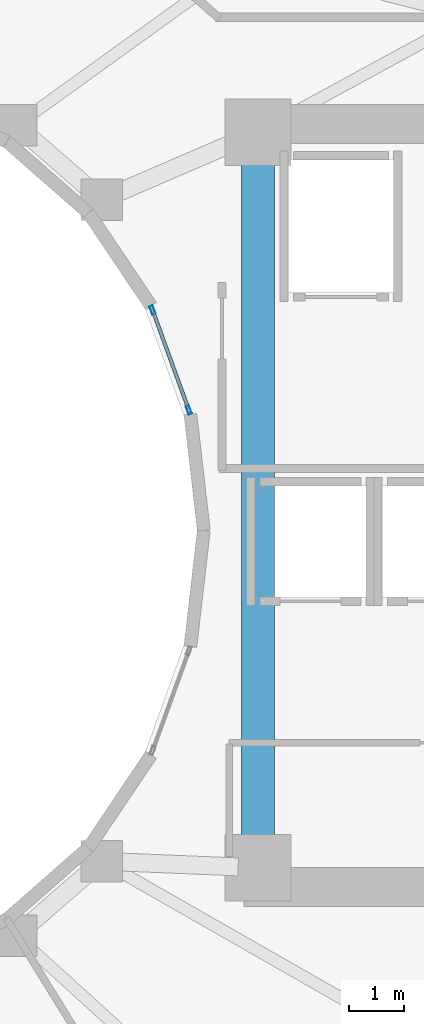
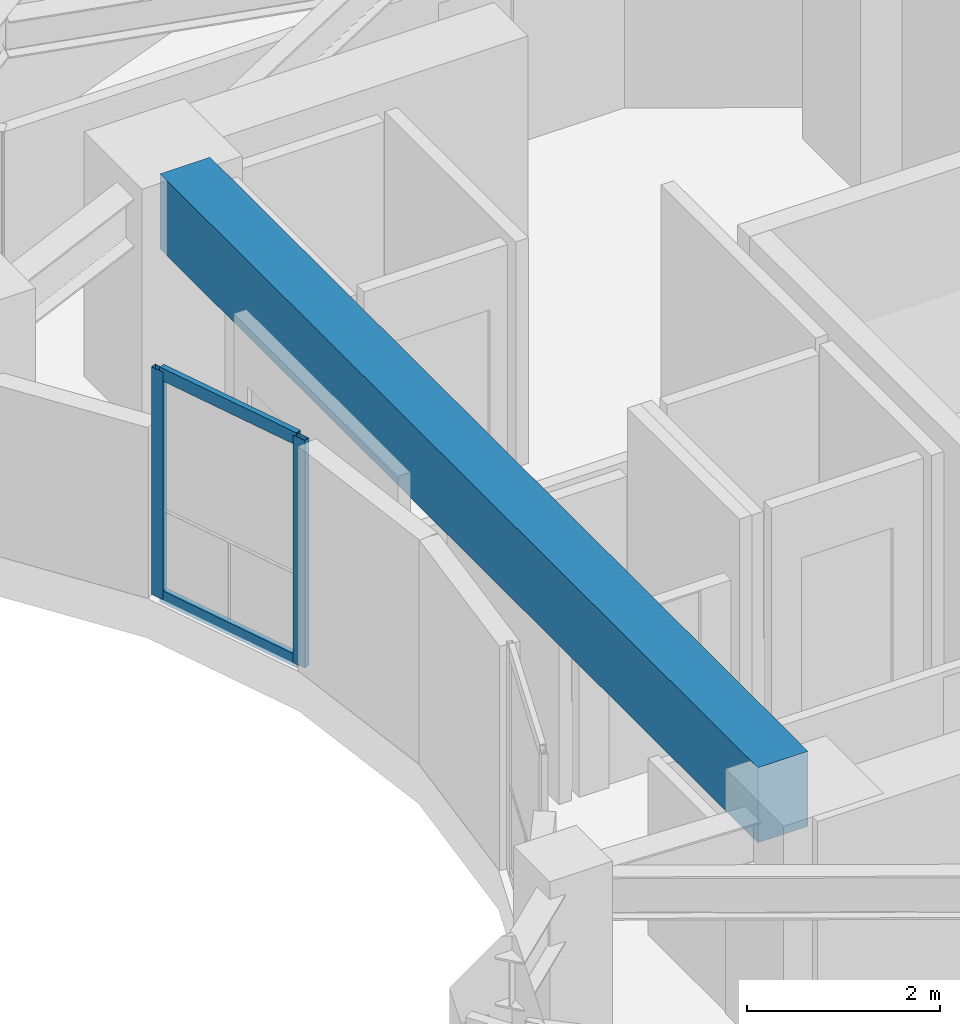
# One storey, part 9 of 20: 4 members, 1 beam, 1 element without a shape of its own.
"""IFC4 building model written with IfcOpenShell, lengths in metres."""

from ifc_helpers import new_model, si_unit, direction, frame, origin, origin_2d, place, context, subcontext, project, spatial, rectangle, hollow_rectangle, extrude, material, layer, layer_set, material_profile, profile_set, type_object, element, aggregate, save


model = new_model("IFC4")

# Units and contexts
model_context = context("Model", 3, precision=1e-05, world=origin(), true_north=direction((0.0, 1.0)))
body_context = subcontext(model_context, "Body", "Model", "MODEL_VIEW")
ifc_project = project(units=[si_unit("LENGTHUNIT", "METRE"), si_unit("AREAUNIT", "SQUARE_METRE"), si_unit("VOLUMEUNIT", "CUBIC_METRE"), si_unit("PLANEANGLEUNIT", "RADIAN"), si_unit("MASSUNIT", "GRAM", prefix="KILO")], contexts=[model_context])

# Site, building, storey
site_placement = place(None, origin())
site = spatial("IfcSite", under=ifc_project, at=site_placement, CompositionType="ELEMENT")
building_placement = place(site_placement, origin())
building = spatial("IfcBuilding", under=site, at=building_placement, Name="Solvane Sanctuary Tower", CompositionType="ELEMENT")
storey_placement = place(building_placement, frame((0.0, 0.0, 137.39990234375)))
storey = spatial("IfcBuildingStorey", under=building, at=storey_placement, Name="L41", CompositionType="ELEMENT", Elevation=137.39990234375)

# Beam
ifc_material_1 = material(Name="Concrete C70/85", Category="concrete")
ifc_material_profile_1 = material_profile(ifc_material_1, rectangle(XDim=0.60009765625, YDim=0.949951171875, at=origin_2d()), Name="RC600X950")
ifc_profile_set_1 = profile_set([ifc_material_profile_1], Name="Concrete C70/85")
beam_type = type_object("IfcBeamType", Name="Beam B-COUPLE RC600X950", PredefinedType="LINTEL", material=ifc_profile_set_1)
beam_placement = place(storey_placement, frame((40.10009765625, 17.35009765625, 2.625), z_axis=(0.0, 1.0, 0.0), x_axis=(-1.0, 0.0, 0.0)))
element("IfcBeam", 1, at=beam_placement, inside=storey, type_object=beam_type, Name="L41 East Core Coupling Lintel", PredefinedType="LINTEL", context=body_context, shape_type="SweptSolid", body=[
    extrude(rectangle(XDim=0.60009765625, YDim=0.949951171875, at=origin_2d()), origin(), (0.0, 0.0, 1.0), 12.39990234375),
])

# Curtain wall, members
ifc_material_2 = material(Name="Anodised Aluminium 6063-T6", Category="aluminium")
ifc_layer = layer(ifc_material_2, 0.199951171875, Name="Anodised Aluminium 6063-T6")
ifc_layer_set = layer_set([ifc_layer], Name="Anodised Aluminium 6063-T6")
curtain_wall_type = type_object("IfcCurtainWallType", Name="Curtain Wall CW-WELL", PredefinedType="NOTDEFINED", material=ifc_layer_set)
curtain_wall_placement = place(storey_placement, origin())
curtain_wall = element("IfcCurtainWall", 2, at=curtain_wall_placement, inside=storey, type_object=curtain_wall_type, Name="L41 Light-Well Glazed Curtain Wall 01", PredefinedType="NOTDEFINED")
ifc_material_profile_2 = material_profile(ifc_material_2, hollow_rectangle(XDim=0.06494140625, YDim=0.159912109375, WallThickness=0.00341796875, at=origin_2d()), Name="ALU160X65X3.5")
ifc_profile_set_2 = profile_set([ifc_material_profile_2], Name="Anodised Aluminium 6063-T6")
member_type_1 = type_object("IfcMemberType", Name="Member M-CW-MUL-2 ALU160X65X3.5", PredefinedType="MULLION", material=ifc_profile_set_2)
member_1_placement = place(storey_placement, frame((38.84912109375, 25.17919921875, 0.0), z_axis=(0.0, 0.0, 1.0), x_axis=(-0.939933181429, -0.341358483781, 0.0)))
member_1 = element("IfcMember", 3, at=member_1_placement, type_object=member_type_1, Name="CW-WELL mullion 1", PredefinedType="MULLION", context=body_context, shape_type="SweptSolid", body=[
    extrude(hollow_rectangle(XDim=0.06494140625, YDim=0.159912109375, WallThickness=0.00341796875, at=origin_2d()), origin(), (0.0, 0.0, 1.0), 2.880126953125),
])
member_2_placement = place(storey_placement, frame((38.1943359375, 26.982421875, 0.0), z_axis=(0.0, 0.0, 1.0), x_axis=(-0.939933181429, -0.341358483781, 0.0)))
member_2 = element("IfcMember", 4, at=member_2_placement, type_object=member_type_1, Name="CW-WELL mullion 2", PredefinedType="MULLION", context=body_context, shape_type="SweptSolid", body=[
    extrude(hollow_rectangle(XDim=0.06494140625, YDim=0.159912109375, WallThickness=0.00341796875, at=origin_2d()), origin(), (0.0, 0.0, 1.0), 2.880126953125),
])
ifc_material_profile_3 = material_profile(ifc_material_2, hollow_rectangle(XDim=0.06494140625, YDim=0.159912109375, WallThickness=0.00341796875, at=origin_2d()), Name="ALU160X65X3.5")
ifc_profile_set_3 = profile_set([ifc_material_profile_3], Name="Anodised Aluminium 6063-T6")
member_type_2 = type_object("IfcMemberType", Name="Member M-CW-TRN-1 ALU160X65X3.5", PredefinedType="USERDEFINED", material=ifc_profile_set_3)
member_3_placement = place(storey_placement, frame((38.838134765625, 25.209716796875, 0.03271484375), z_axis=(-0.341404620561, 0.939916424508, 0.0), x_axis=(-0.939916424508, -0.341404620561, 0.0)))
member_3 = element("IfcMember", 5, at=member_3_placement, type_object=member_type_2, Name="CW-WELL transom 1.1", ObjectType="TRANSOM", PredefinedType="USERDEFINED", context=body_context, shape_type="SweptSolid", body=[
    extrude(hollow_rectangle(XDim=0.06494140625, YDim=0.159912109375, WallThickness=0.00341796875, at=origin_2d()), origin(), (0.0, 0.0, 1.0), 1.853515625),
])
member_4_placement = place(storey_placement, frame((38.838134765625, 25.209716796875, 2.84765625), z_axis=(-0.341404620561, 0.939916424508, 0.0), x_axis=(-0.939916424508, -0.341404620561, 0.0)))
member_4 = element("IfcMember", 6, at=member_4_placement, type_object=member_type_2, Name="CW-WELL transom 1.2", ObjectType="TRANSOM", PredefinedType="USERDEFINED", context=body_context, shape_type="SweptSolid", body=[
    extrude(hollow_rectangle(XDim=0.06494140625, YDim=0.159912109375, WallThickness=0.00341796875, at=origin_2d()), origin(), (0.0, 0.0, 1.0), 1.853515625),
])
aggregate(curtain_wall, [member_1, member_2, member_3, member_4])

save(model, "model.ifc")
